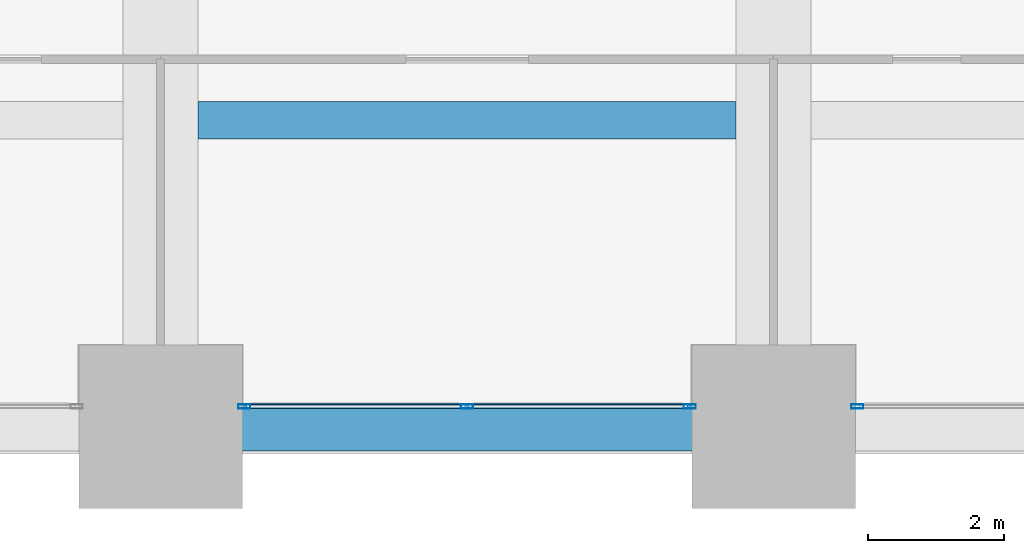
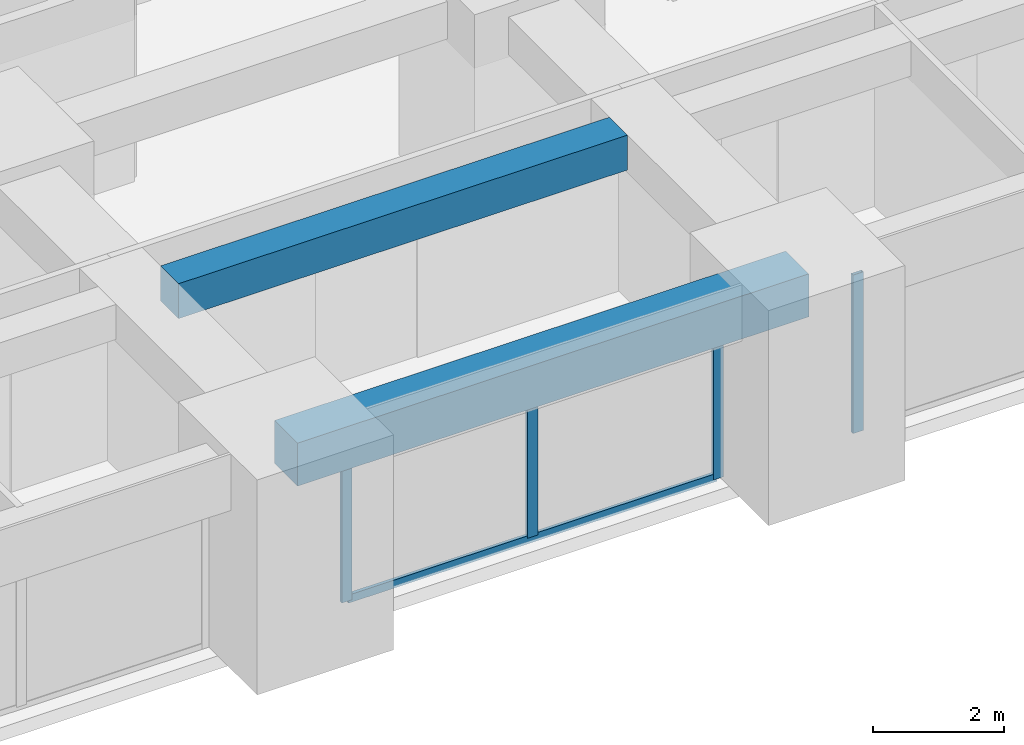
# One storey, part 10 of 39: 5 members, 2 beams, 2 elements without a shape of their own.
"""IFC4 building model written with IfcOpenShell, lengths in metres."""

from ifc_helpers import new_model, si_unit, direction, frame, origin, origin_2d, place, context, subcontext, project, spatial, rectangle, hollow_rectangle, extrude, material, material_profile, profile_set, type_object, element, aggregate, save


model = new_model("IFC4")

# Units and contexts
model_context = context("Model", 3, precision=1e-05, world=origin(), true_north=direction((0.0, 1.0)))
body_context = subcontext(model_context, "Body", "Model", "MODEL_VIEW")
ifc_project = project(units=[si_unit("LENGTHUNIT", "METRE"), si_unit("AREAUNIT", "SQUARE_METRE"), si_unit("VOLUMEUNIT", "CUBIC_METRE"), si_unit("PLANEANGLEUNIT", "RADIAN"), si_unit("MASSUNIT", "GRAM", prefix="KILO")], contexts=[model_context])

# Site, building, storey
site_placement = place(None, origin())
site = spatial("IfcSite", under=ifc_project, at=site_placement, CompositionType="ELEMENT")
building_placement = place(site_placement, origin())
building = spatial("IfcBuilding", under=site, at=building_placement, Name="Zorevar Civic Tower", CompositionType="ELEMENT")
storey_placement = place(building_placement, frame((0.0, 0.0, 19.800048828125)))
storey = spatial("IfcBuildingStorey", under=building, at=storey_placement, Name="L04", CompositionType="ELEMENT", Elevation=19.800048828125)

# Beam
ifc_material_1 = material(Name="Concrete C50/60", Category="concrete")
ifc_material_profile_1 = material_profile(ifc_material_1, rectangle(XDim=0.550048828125, YDim=0.64990234375, at=origin_2d()), Name="RC 550x650")
ifc_profile_set_1 = profile_set([ifc_material_profile_1], Name="Concrete C50/60")
beam_type_1 = type_object("IfcBeamType", Name="Beam RC 550x650", PredefinedType="BEAM", material=ifc_profile_set_1)
beam_1_placement = place(storey_placement, frame((27.550048828125, 4.5, 3.425048828125), z_axis=(1.0, 0.0, 0.0), x_axis=(0.0, 1.0, 0.0)))
element("IfcBeam", 1, at=beam_1_placement, inside=storey, type_object=beam_type_1, Name="Secondary beam L05", PredefinedType="BEAM", context=body_context, shape_type="SweptSolid", body=[
    extrude(rectangle(XDim=0.550048828125, YDim=0.64990234375, at=origin_2d()), origin(), (0.0, 0.0, 1.0), 7.89990234375),
])

# Curtain wall, members
ifc_material_2 = material(Name="Dark grey solar-control glass in black aluminium frame", Category="aluminium")
curtain_wall_type = type_object("IfcCurtainWallType", Name="Curtain wall CW2 low zone", PredefinedType="NOTDEFINED", material=ifc_material_2)
curtain_wall_1_placement = place(storey_placement, origin())
curtain_wall_1 = element("IfcCurtainWall", 2, at=curtain_wall_1_placement, inside=storey, type_object=curtain_wall_type, Name="CW2 L04", PredefinedType="NOTDEFINED")
ifc_material_3 = material(Name="Aluminium, black anodised", Category="aluminium")
ifc_material_profile_2 = material_profile(ifc_material_3, hollow_rectangle(XDim=0.06005859375, YDim=0.179931640625, WallThickness=0.00390625, at=origin_2d()), Name="AL 180x60x4")
ifc_profile_set_2 = profile_set([ifc_material_profile_2], Name="Aluminium, black anodised")
member_type_1 = type_object("IfcMemberType", Name="CW2 mullion AL 180x60x4", PredefinedType="MULLION", material=ifc_profile_set_2)
member_1_placement = place(storey_placement, frame((28.22998046875, 0.300048828125, 0.0), z_axis=(0.0, 0.0, 1.0), x_axis=(0.0, 1.0, 0.0)))
member_1 = element("IfcMember", 3, at=member_1_placement, type_object=member_type_1, Name="CW2 mullion 1", PredefinedType="MULLION", context=body_context, shape_type="SweptSolid", body=[
    extrude(hollow_rectangle(XDim=0.06005859375, YDim=0.179931640625, WallThickness=0.00390625, at=origin_2d()), origin(), (0.0, 0.0, 1.0), 2.949951171875),
])
member_2_placement = place(storey_placement, frame((31.5, 0.300048828125, 0.06005859375), z_axis=(0.0, 0.0, 1.0), x_axis=(0.0, 1.0, 0.0)))
member_2 = element("IfcMember", 4, at=member_2_placement, type_object=member_type_1, Name="CW2 mullion 2", PredefinedType="MULLION", context=body_context, shape_type="SweptSolid", body=[
    extrude(hollow_rectangle(XDim=0.06005859375, YDim=0.179931640625, WallThickness=0.00390625, at=origin_2d()), origin(), (0.0, 0.0, 1.0), 2.889892578125),
])
member_3_placement = place(storey_placement, frame((34.77001953125, 0.300048828125, 0.0), z_axis=(0.0, 0.0, 1.0), x_axis=(0.0, 1.0, 0.0)))
member_3 = element("IfcMember", 5, at=member_3_placement, type_object=member_type_1, Name="CW2 mullion 3", PredefinedType="MULLION", context=body_context, shape_type="SweptSolid", body=[
    extrude(hollow_rectangle(XDim=0.06005859375, YDim=0.179931640625, WallThickness=0.00390625, at=origin_2d()), origin(), (0.0, 0.0, 1.0), 2.949951171875),
])

# Curtain wall, member
curtain_wall_2_placement = place(storey_placement, origin())
curtain_wall_2 = element("IfcCurtainWall", 6, at=curtain_wall_2_placement, inside=storey, type_object=curtain_wall_type, Name="CW2 L04", PredefinedType="NOTDEFINED")
member_4_placement = place(storey_placement, frame((37.22998046875, 0.300048828125, 0.0), z_axis=(0.0, 0.0, 1.0), x_axis=(0.0, 1.0, 0.0)))
member_4 = element("IfcMember", 7, at=member_4_placement, type_object=member_type_1, Name="CW2 mullion 1", PredefinedType="MULLION", context=body_context, shape_type="SweptSolid", body=[
    extrude(hollow_rectangle(XDim=0.06005859375, YDim=0.179931640625, WallThickness=0.00390625, at=origin_2d()), origin(), (0.0, 0.0, 1.0), 2.949951171875),
])
aggregate(curtain_wall_2, [member_4])

# Member
ifc_material_4 = material(Name="Aluminium, black anodised", Category="aluminium")
ifc_material_profile_3 = material_profile(ifc_material_4, hollow_rectangle(XDim=0.06005859375, YDim=0.14990234375, WallThickness=0.00390625, at=origin_2d()), Name="AL 150x60x4")
ifc_profile_set_3 = profile_set([ifc_material_profile_3], Name="Aluminium, black anodised")
member_type_2 = type_object("IfcMemberType", Name="CW2 transom AL 150x60x4", PredefinedType="USERDEFINED", material=ifc_profile_set_3)
member_5_placement = place(storey_placement, frame((28.260009765625, 0.300048828125, 0.030029296875), z_axis=(1.0, 0.0, 0.0), x_axis=(0.0, 1.0, 0.0)))
member_5 = element("IfcMember", 8, at=member_5_placement, type_object=member_type_2, Name="CW2 sill transom", ObjectType="TRANSOM", PredefinedType="USERDEFINED", context=body_context, shape_type="SweptSolid", body=[
    extrude(hollow_rectangle(XDim=0.06005859375, YDim=0.14990234375, WallThickness=0.00390625, at=origin_2d()), origin(), (0.0, 0.0, 1.0), 6.47998046875),
])

aggregate(curtain_wall_1, [member_1, member_2, member_3, member_5])

# Beam
ifc_material_5 = material(Name="Concrete C50/60", Category="concrete")
ifc_material_profile_4 = material_profile(ifc_material_5, rectangle(XDim=0.699951171875, YDim=0.800048828125, at=origin_2d()), Name="RC 700x800")
ifc_profile_set_4 = profile_set([ifc_material_profile_4], Name="Concrete C50/60")
beam_type_2 = type_object("IfcBeamType", Name="Edge beam RC 700x800", PredefinedType="SPANDREL", material=ifc_profile_set_4)
beam_2_placement = place(storey_placement, frame((27.0, 0.0, 3.349853515625), z_axis=(1.0, 0.0, 0.0), x_axis=(0.0, 1.0, 0.0)))
element("IfcBeam", 9, at=beam_2_placement, inside=storey, type_object=beam_type_2, Name="Edge beam L05", PredefinedType="SPANDREL", context=body_context, shape_type="SweptSolid", body=[
    extrude(rectangle(XDim=0.699951171875, YDim=0.800048828125, at=origin_2d()), origin(), (0.0, 0.0, 1.0), 9.0),
])

save(model, "model.ifc")
